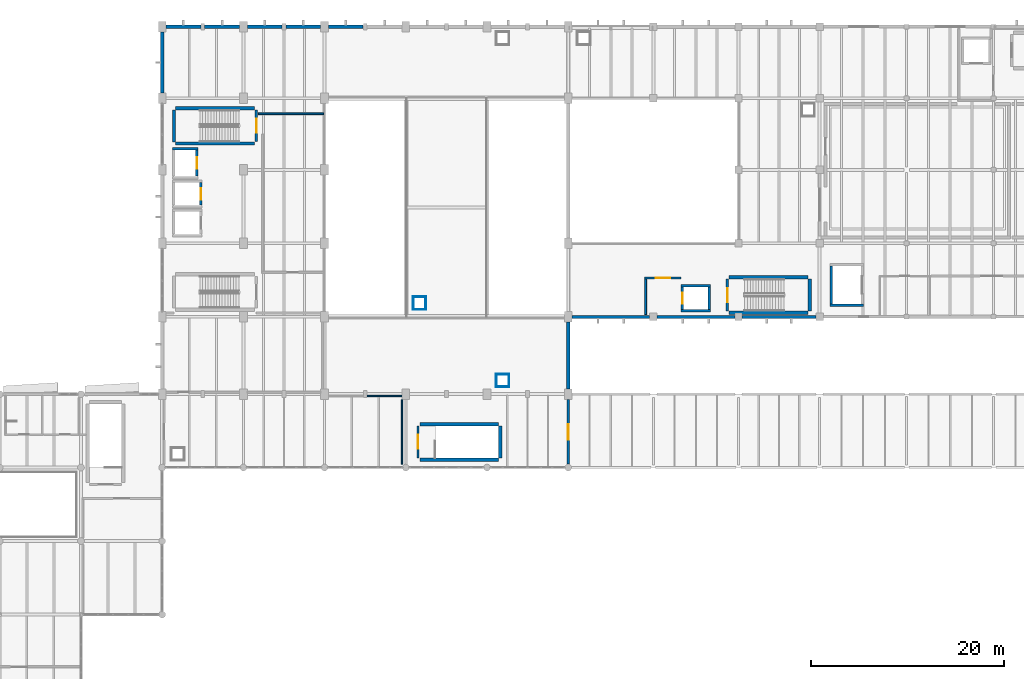
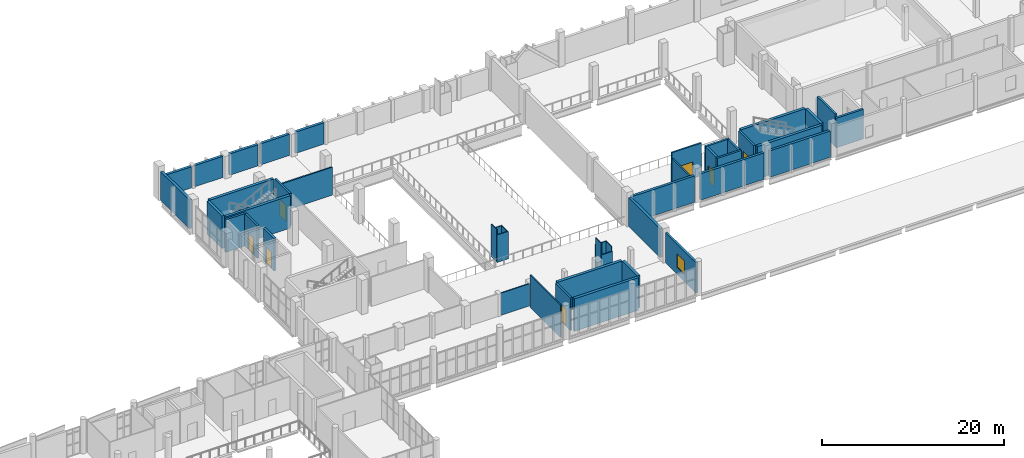
# One storey, part 61 of 74: 45 walls, 7 doors, 1 window, 8 openings.
"""IFC4 building model written with IfcOpenShell, lengths in metres."""

from ifc_helpers import new_model, si_unit, direction, frame, frame_2d, origin, place, context, subcontext, project, spatial, rectangle, extrude, material, layer, layer_set, type_object, element, fill, save


model = new_model("IFC4")

# Units and contexts
model_context = context("Model", 3, precision=1e-05, world=origin(), true_north=direction((0.0, 1.0)))
body_context = subcontext(model_context, "Body", "Model", "MODEL_VIEW")
ifc_project = project(units=[si_unit("LENGTHUNIT", "METRE"), si_unit("AREAUNIT", "SQUARE_METRE"), si_unit("VOLUMEUNIT", "CUBIC_METRE"), si_unit("PLANEANGLEUNIT", "RADIAN"), si_unit("MASSUNIT", "GRAM", prefix="KILO")], contexts=[model_context])

# Site, building, storey
site_placement = place(None, origin())
site = spatial("IfcSite", under=ifc_project, at=site_placement, CompositionType="ELEMENT")
building_placement = place(site_placement, origin())
building = spatial("IfcBuilding", under=site, at=building_placement, Name="Shengluoqiao Park Theatre", CompositionType="ELEMENT")
storey_placement = place(building_placement, frame((0.0, 0.0, 14.60009765625)))
storey = spatial("IfcBuildingStorey", under=building, at=storey_placement, Name="L03", CompositionType="ELEMENT", Elevation=14.60009765625)

# Walls
ifc_material_1 = material(Name="Concrete C40", Category="concrete")
ifc_layer_1 = layer(ifc_material_1, 0.31005859375, Name="Concrete C40")
ifc_layer_set_1 = layer_set([ifc_layer_1], Name="Concrete C40")
wall_type_1 = type_object("IfcWallType", Name="ENV-WL-CONC310", PredefinedType="STANDARD", material=ifc_layer_set_1)
wall_1_placement = place(storey_placement, frame((86.803955078125, 84.0, 0.0), z_axis=(0.0, 0.0, 1.0), x_axis=(1.0, 0.0, 0.0)))
element("IfcWall", 1, at=wall_1_placement, inside=storey, type_object=wall_type_1, Name="L03 Exterior Wall 0074", PredefinedType="STANDARD", context=body_context, shape_type="SweptSolid", body=[
    extrude(rectangle(XDim=8.01708984375, YDim=0.31005859375, at=frame_2d((4.008544921875, 0.0))), origin(), (0.0, 0.0, 1.0), 3.537841796875),
])
wall_2_placement = place(storey_placement, frame((95.5791015625, 84.0, 0.0), z_axis=(0.0, 0.0, 1.0), x_axis=(1.0, 0.0, 0.0)))
element("IfcWall", 2, at=wall_2_placement, inside=storey, type_object=wall_type_1, Name="L03 Exterior Wall 0075", PredefinedType="STANDARD", context=body_context, shape_type="SweptSolid", body=[
    extrude(rectangle(XDim=8.0419921875, YDim=0.31005859375, at=frame_2d((4.02099609375, 0.0))), origin(), (0.0, 0.0, 1.0), 3.537841796875),
])
wall_3_placement = place(storey_placement, frame((104.37890625, 84.0, 0.0), z_axis=(0.0, 0.0, 1.0), x_axis=(1.0, 0.0, 0.0)))
element("IfcWall", 3, at=wall_3_placement, inside=storey, type_object=wall_type_1, Name="L03 Exterior Wall 0076", PredefinedType="STANDARD", context=body_context, shape_type="SweptSolid", body=[
    extrude(rectangle(XDim=7.64208984375, YDim=0.31005859375, at=frame_2d((3.821044921875, 0.0))), origin(), (0.0, 0.0, 1.0), 3.537841796875),
])
ifc_material_2 = material(Name="Concrete C45", Category="concrete")
ifc_layer_2 = layer(ifc_material_2, 0.330078125, Name="Concrete C45")
ifc_layer_set_2 = layer_set([ifc_layer_2], Name="Concrete C45")
wall_type_2 = type_object("IfcWallType", Name="ENV-WL-CONC330", PredefinedType="STANDARD", material=ifc_layer_set_2)
for number, where, z_axis, x_axis, name in (
    (4, (44.803955078125, 114.0, 0.0), (0.0, 0.0, 1.0), (1.0, 0.0, 0.0), "L03 Exterior Wall 0040"),
    (5, (48.803955078125, 114.0, 0.0), (0.0, 0.0, 1.0), (1.0, 0.0, 0.0), "L03 Exterior Wall 0041"),
):
    element("IfcWall", number, at=place(storey_placement, frame(where, z_axis=z_axis, x_axis=x_axis)), inside=storey, type_object=wall_type_2, Name=name, PredefinedType="STANDARD", context=body_context, shape_type="SweptSolid", body=[
        extrude(rectangle(XDim=3.592041015625, YDim=0.330078125, at=frame_2d((1.7958984375, 0.0))), origin(), (0.0, 0.0, 1.0), 2.847900390625),
    ])
for number, where, z_axis, x_axis, name in (
    (6, (53.2041015625, 114.0, 0.0), (0.0, 0.0, 1.0), (1.0, 0.0, 0.0), "L03 Exterior Wall 0042"),
    (7, (57.2041015625, 114.0, 0.0), (0.0, 0.0, 1.0), (1.0, 0.0, 0.0), "L03 Exterior Wall 0043"),
):
    element("IfcWall", number, at=place(storey_placement, frame(where, z_axis=z_axis, x_axis=x_axis)), inside=storey, type_object=wall_type_2, Name=name, PredefinedType="STANDARD", context=body_context, shape_type="SweptSolid", body=[
        extrude(rectangle(XDim=3.591796875, YDim=0.330078125, at=frame_2d((1.7958984375, 0.0))), origin(), (0.0, 0.0, 1.0), 2.847900390625),
    ])
wall_4_placement = place(storey_placement, frame((61.60400390625, 114.0, 0.0), z_axis=(0.0, 0.0, 1.0), x_axis=(1.0, 0.0, 0.0)))
element("IfcWall", 8, at=wall_4_placement, inside=storey, type_object=wall_type_2, Name="L03 Exterior Wall 0044", PredefinedType="STANDARD", context=body_context, shape_type="SweptSolid", body=[
    extrude(rectangle(XDim=3.592041015625, YDim=0.330078125, at=frame_2d((1.7958984375, 0.0))), origin(), (0.0, 0.0, 1.0), 2.847900390625),
])
wall_5_placement = place(storey_placement, frame((44.39990234375, 107.154052734375, 0.0), z_axis=(0.0, 0.0, 1.0), x_axis=(0.0, 1.0, 0.0)))
element("IfcWall", 9, at=wall_5_placement, inside=storey, type_object=wall_type_2, Name="L03 Exterior Wall 0052", PredefinedType="STANDARD", context=body_context, shape_type="SweptSolid", body=[
    extrude(rectangle(XDim=6.2919921875, YDim=0.330078125, at=frame_2d((3.14599609375, 0.0))), origin(), (0.0, 0.0, 1.0), 3.8779296875),
])
wall_6_placement = place(storey_placement, frame((86.39990234375, 76.553955078125, 0.0), z_axis=(0.0, 0.0, 1.0), x_axis=(0.0, 1.0, 0.0)))
element("IfcWall", 10, at=wall_6_placement, inside=storey, type_object=wall_type_2, Name="L03 Exterior Wall 0298", PredefinedType="STANDARD", context=body_context, shape_type="SweptSolid", body=[
    extrude(rectangle(XDim=6.89208984375, YDim=0.330078125, at=frame_2d((3.446044921875, 0.0))), origin(), (0.0, 0.0, 1.0), 3.8779296875),
])

# Wall, opening, window
ifc_material_3 = material(Name="Precast concrete C45", Category="concrete")
ifc_layer_3 = layer(ifc_material_3, 0.25, Name="Precast concrete C45")
ifc_layer_set_3 = layer_set([ifc_layer_3], Name="Precast concrete C45")
wall_type_3 = type_object("IfcWallType", Name="ENV-WL-CRYS250", PredefinedType="STANDARD", material=ifc_layer_set_3)
wall_7_placement = place(storey_placement, frame((86.39990234375, 68.75390625, 0.0), z_axis=(0.0, 0.0, 1.0), x_axis=(0.0, 1.0, 0.0)))
wall_7 = element("IfcWall", 11, at=wall_7_placement, inside=storey, type_object=wall_type_3, Name="L03 Exterior Wall 0294", PredefinedType="STANDARD", context=body_context, shape_type="SweptSolid", body=[
    extrude(rectangle(XDim=6.692138671875, YDim=0.25, at=frame_2d((3.34619140625, 0.0))), origin(), (0.0, 0.0, 1.0), 4.033935546875),
])
opening_1_placement = place(wall_7_placement, frame((2.5458984375, 0.0, 0.949951171875)))
opening_1 = element("IfcOpeningElement", 12, at=opening_1_placement, cuts=wall_7, Name="Opening W-06", PredefinedType="OPENING", context=body_context, shape_type="SweptSolid", body=[
    extrude(rectangle(XDim=1.60009765625, YDim=1.800048828125, at=frame_2d((0.800048828125, 0.89990234375))), frame((0.0, 0.135009765625, 0.0), z_axis=(0.0, -1.0, 0.0), x_axis=(1.0, 0.0, 0.0)), (0.0, 0.0, 1.0), 0.27001953125),
])
ifc_material_4 = material(Name="Insulated glass", Category="glass")
window_type = type_object("IfcWindowType", Name="ENV-WIN-W06", PartitioningType="DOUBLE_PANEL_VERTICAL", PredefinedType="WINDOW", material=ifc_material_4)
window_placement = place(opening_1_placement, origin())
window = element("IfcWindow", 13, at=window_placement, inside=storey, type_object=window_type, Name="L03 Acoustic Window 0126", OverallHeight=1.800048828125, OverallWidth=1.60009765625, PartitioningType="DOUBLE_PANEL_VERTICAL", PredefinedType="WINDOW", context=body_context, shape_type="SweptSolid", body=[
    extrude(rectangle(XDim=1.60009765625, YDim=1.800048828125, at=frame_2d((0.800048828125, 0.89990234375))), frame((0.0, 0.030029296875, 0.0), z_axis=(0.0, -1.0, 0.0), x_axis=(1.0, 0.0, 0.0)), (0.0, 0.0, 1.0), 0.06005859375),
])
fill(opening_1, window)

# Walls
ifc_material_5 = material(Name="Gypsum acoustic stud", Category="gypsum")
ifc_layer_4 = layer(ifc_material_5, 0.175048828125, Name="Gypsum acoustic stud")
ifc_layer_set_4 = layer_set([ifc_layer_4], Name="Gypsum acoustic stud")
wall_type_4 = type_object("IfcWallType", Name="INT-WL-COR175", PredefinedType="PARTITIONING", material=ifc_layer_set_4)
wall_8_placement = place(storey_placement, frame((54.340087890625, 105.0, 0.0), z_axis=(0.0, 0.0, 1.0), x_axis=(1.0, 0.0, 0.0)))
element("IfcWall", 14, at=wall_8_placement, inside=storey, type_object=wall_type_4, Name="Auditorium Lighting and Projection Suite Partition N", PredefinedType="PARTITIONING", context=body_context, shape_type="SweptSolid", body=[
    extrude(rectangle(XDim=6.747314453125, YDim=0.175048828125, at=frame_2d((3.37353515625, 0.0))), origin(), (0.0, 0.0, 1.0), 3.75),
])
ifc_material_6 = material(Name="Concrete blockwork B06", Category="masonry")
ifc_layer_5 = layer(ifc_material_6, 0.195068359375, Name="Concrete blockwork B06")
ifc_layer_set_5 = layer_set([ifc_layer_5], Name="Concrete blockwork B06")
wall_type_5 = type_object("IfcWallType", Name="INT-WL-FFL195", PredefinedType="PARTITIONING", material=ifc_layer_set_5)
wall_9_placement = place(storey_placement, frame((94.39990234375, 84.219970703125, 0.0), z_axis=(0.0, 0.0, 1.0), x_axis=(0.0, 1.0, 0.0)))
element("IfcWall", 15, at=wall_9_placement, inside=storey, type_object=wall_type_5, Name="L03 Firefighting Lift Lobby FF1 Fire Wall W", PredefinedType="PARTITIONING", context=body_context, shape_type="SweptSolid", body=[
    extrude(rectangle(XDim=3.675048828125, YDim=0.195068359375, at=frame_2d((1.83740234375, 0.0))), origin(), (0.0, 0.0, 1.0), 3.537841796875),
])

# Wall, opening, door
wall_10_placement = place(storey_placement, frame((94.31005859375, 88.0, 0.0), z_axis=(0.0, 0.0, 1.0), x_axis=(1.0, 0.0, 0.0)))
wall_10 = element("IfcWall", 16, at=wall_10_placement, inside=storey, type_object=wall_type_5, Name="L03 Firefighting Lift Lobby FF1 Fire Wall N", PredefinedType="PARTITIONING", context=body_context, shape_type="SweptSolid", body=[
    extrude(rectangle(XDim=3.75, YDim=0.195068359375, at=frame_2d((1.875, 0.0))), origin(), (0.0, 0.0, 1.0), 4.35986328125),
])
opening_2_placement = place(wall_10_placement, frame((1.125, 0.0, 0.0)))
opening_2 = element("IfcOpeningElement", 17, at=opening_2_placement, cuts=wall_10, Name="Opening FD-FFL-1-L03", PredefinedType="OPENING", context=body_context, shape_type="SweptSolid", body=[
    extrude(rectangle(XDim=1.5, YDim=2.199951171875, at=frame_2d((0.75, 1.10009765625))), frame((0.0, 0.107421875, 0.0), z_axis=(0.0, -1.0, 0.0), x_axis=(1.0, 0.0, 0.0)), (0.0, 0.0, 1.0), 0.215087890625),
])
ifc_material_7 = material(Name="Steel Q355", Category="steel")
door_type_1 = type_object("IfcDoorType", Name="INT-DR-FFL150", OperationType="DOUBLE_DOOR_SINGLE_SWING", PredefinedType="DOOR", material=ifc_material_7)
door_1_placement = place(opening_2_placement, origin())
door_1 = element("IfcDoor", 18, at=door_1_placement, inside=storey, type_object=door_type_1, Name="L03 Firefighting Lift Lobby FF1 Fire Door FD-FFL-1-L03", OperationType="DOUBLE_DOOR_SINGLE_SWING", OverallHeight=2.199951171875, OverallWidth=1.5, PredefinedType="DOOR", context=body_context, shape_type="SweptSolid", body=[
    extrude(rectangle(XDim=1.5, YDim=2.199951171875, at=frame_2d((0.75, 1.10009765625))), frame((0.0, 0.02490234375, 0.0), z_axis=(0.0, -1.0, 0.0), x_axis=(1.0, 0.0, 0.0)), (0.0, 0.0, 1.0), 0.050048828125),
])
fill(opening_2, door_1)

# Walls
ifc_material_8 = material(Name="Gypsum shaftwall", Category="gypsum")
ifc_layer_6 = layer(ifc_material_8, 0.094970703125, Name="Gypsum shaftwall")
ifc_layer_set_6 = layer_set([ifc_layer_6], Name="Gypsum shaftwall")
wall_type_6 = type_object("IfcWallType", Name="INT-WL-RSR095", PredefinedType="PARTITIONING", material=ifc_layer_set_6)
for number, where, z_axis, x_axis, name in (
    (19, (70.304931640625, 84.75, 0.0), (0.0, 0.0, 1.0), (1.0, 0.0, 0.0), "L03 Service Riser Shaftwall 137"),
    (20, (70.304931640625, 86.070068359375, 0.0), (0.0, 0.0, 1.0), (1.0, 0.0, 0.0), "L03 Service Riser Shaftwall 138"),
):
    element("IfcWall", number, at=place(storey_placement, frame(where, z_axis=z_axis, x_axis=x_axis)), inside=storey, type_object=wall_type_6, Name=name, PredefinedType="PARTITIONING", context=body_context, shape_type="SweptSolid", body=[
        extrude(rectangle(XDim=1.41015625, YDim=0.094970703125, at=frame_2d((0.705078125, 0.0))), origin(), (0.0, 0.0, 1.0), 3.677978515625),
    ])
wall_11_placement = place(storey_placement, frame((70.35009765625, 84.804931640625, 0.0), z_axis=(0.0, 0.0, 1.0), x_axis=(0.0, 1.0, 0.0)))
element("IfcWall", 21, at=wall_11_placement, inside=storey, type_object=wall_type_6, Name="L03 Service Riser Shaftwall 139", PredefinedType="PARTITIONING", context=body_context, shape_type="SweptSolid", body=[
    extrude(rectangle(XDim=1.2099609375, YDim=0.094970703125, at=frame_2d((0.60498046875, 0.0))), origin(), (0.0, 0.0, 1.0), 4.35986328125),
])
wall_12_placement = place(storey_placement, frame((71.669921875, 84.804931640625, 0.0), z_axis=(0.0, 0.0, 1.0), x_axis=(0.0, 1.0, 0.0)))
element("IfcWall", 22, at=wall_12_placement, inside=storey, type_object=wall_type_6, Name="L03 Service Riser Shaftwall 140", PredefinedType="PARTITIONING", context=body_context, shape_type="SweptSolid", body=[
    extrude(rectangle(XDim=1.2099609375, YDim=0.094970703125, at=frame_2d((0.60498046875, 0.0))), origin(), (0.0, 0.0, 1.0), 3.677978515625),
])
wall_13_placement = place(storey_placement, frame((78.905029296875, 76.75, 0.0), z_axis=(0.0, 0.0, 1.0), x_axis=(1.0, 0.0, 0.0)))
element("IfcWall", 23, at=wall_13_placement, inside=storey, type_object=wall_type_6, Name="L03 Service Riser Shaftwall 141", PredefinedType="PARTITIONING", context=body_context, shape_type="SweptSolid", body=[
    extrude(rectangle(XDim=1.409912109375, YDim=0.094970703125, at=frame_2d((0.705078125, 0.0))), origin(), (0.0, 0.0, 1.0), 2.847900390625),
])
wall_14_placement = place(storey_placement, frame((78.905029296875, 78.070068359375, 0.0), z_axis=(0.0, 0.0, 1.0), x_axis=(1.0, 0.0, 0.0)))
element("IfcWall", 24, at=wall_14_placement, inside=storey, type_object=wall_type_6, Name="L03 Service Riser Shaftwall 142", PredefinedType="PARTITIONING", context=body_context, shape_type="SweptSolid", body=[
    extrude(rectangle(XDim=1.409912109375, YDim=0.094970703125, at=frame_2d((0.705078125, 0.0))), origin(), (0.0, 0.0, 1.0), 3.432861328125),
])
wall_15_placement = place(storey_placement, frame((78.949951171875, 76.804931640625, 0.0), z_axis=(0.0, 0.0, 1.0), x_axis=(0.0, 1.0, 0.0)))
element("IfcWall", 25, at=wall_15_placement, inside=storey, type_object=wall_type_6, Name="L03 Service Riser Shaftwall 143", PredefinedType="PARTITIONING", context=body_context, shape_type="SweptSolid", body=[
    extrude(rectangle(XDim=1.2099609375, YDim=0.094970703125, at=frame_2d((0.60498046875, 0.0))), origin(), (0.0, 0.0, 1.0), 4.35986328125),
])
wall_16_placement = place(storey_placement, frame((80.27001953125, 76.804931640625, 0.0), z_axis=(0.0, 0.0, 1.0), x_axis=(0.0, 1.0, 0.0)))
element("IfcWall", 26, at=wall_16_placement, inside=storey, type_object=wall_type_6, Name="L03 Service Riser Shaftwall 144", PredefinedType="PARTITIONING", context=body_context, shape_type="SweptSolid", body=[
    extrude(rectangle(XDim=1.2099609375, YDim=0.094970703125, at=frame_2d((0.60498046875, 0.0))), origin(), (0.0, 0.0, 1.0), 3.432861328125),
])

# Wall, opening, door
ifc_layer_7 = layer(ifc_material_1, 0.260009765625, Name="Concrete C40")
ifc_layer_set_7 = layer_set([ifc_layer_7], Name="Concrete C40")
wall_type_7 = type_object("IfcWallType", Name="INT-WL-SHF260", PredefinedType="STANDARD", material=ifc_layer_set_7)
wall_17_placement = place(storey_placement, frame((48.39990234375, 95.535888671875, 0.0), z_axis=(0.0, 0.0, 1.0), x_axis=(0.0, 1.0, 0.0)))
wall_17 = element("IfcWall", 27, at=wall_17_placement, inside=storey, type_object=wall_type_7, Name="L03 PL4 Lift Shaft Wall East", PredefinedType="STANDARD", context=body_context, shape_type="SweptSolid", body=[
    extrude(rectangle(XDim=2.328125, YDim=0.260009765625, at=frame_2d((1.1640625, 0.0))), origin(), (0.0, 0.0, 1.0), 4.35986328125),
])
opening_3_placement = place(wall_17_placement, frame((0.553955078125, 0.0, 0.0)))
opening_3 = element("IfcOpeningElement", 28, at=opening_3_placement, cuts=wall_17, Name="Opening LD-PL4-L03", PredefinedType="OPENING", context=body_context, shape_type="SweptSolid", body=[
    extrude(rectangle(XDim=1.219970703125, YDim=2.199951171875, at=frame_2d((0.60986328125, 1.10009765625))), frame((0.0, 0.139892578125, 0.0), z_axis=(0.0, -1.0, 0.0), x_axis=(1.0, 0.0, 0.0)), (0.0, 0.0, 1.0), 0.280029296875),
])
ifc_material_9 = material(Name="Stainless steel 304", Category="steel")
door_type_2 = type_object("IfcDoorType", Name="INT-DR-LD122", OperationType="SLIDING_TO_RIGHT", PredefinedType="DOOR", material=ifc_material_9)
door_2_placement = place(opening_3_placement, origin())
door_2 = element("IfcDoor", 29, at=door_2_placement, inside=storey, type_object=door_type_2, Name="PL4 Lift Landing Door LD-PL4-L03", OperationType="SLIDING_TO_RIGHT", OverallHeight=2.199951171875, OverallWidth=1.219970703125, PredefinedType="DOOR", context=body_context, shape_type="SweptSolid", body=[
    extrude(rectangle(XDim=1.219970703125, YDim=2.199951171875, at=frame_2d((0.60986328125, 1.10009765625))), frame((0.0, 0.02490234375, 0.0), z_axis=(0.0, -1.0, 0.0), x_axis=(1.0, 0.0, 0.0)), (0.0, 0.0, 1.0), 0.050048828125),
])
fill(opening_3, door_2)

# Wall
wall_18_placement = place(storey_placement, frame((45.469970703125, 101.39990234375, 0.0), z_axis=(0.0, 0.0, 1.0), x_axis=(1.0, 0.0, 0.0)))
element("IfcWall", 30, at=wall_18_placement, inside=storey, type_object=wall_type_7, Name="L03 AL1 Lift Shaft Wall North", PredefinedType="STANDARD", context=body_context, shape_type="SweptSolid", body=[
    extrude(rectangle(XDim=2.659912109375, YDim=0.260009765625, at=frame_2d((1.330078125, 0.0))), origin(), (0.0, 0.0, 1.0), 4.35986328125),
])

# Wall, opening, door
wall_19_placement = place(storey_placement, frame((48.0, 98.535888671875, 0.0), z_axis=(0.0, 0.0, 1.0), x_axis=(0.0, 1.0, 0.0)))
wall_19 = element("IfcWall", 31, at=wall_19_placement, inside=storey, type_object=wall_type_7, Name="L03 AL1 Lift Shaft Wall East", PredefinedType="STANDARD", context=body_context, shape_type="SweptSolid", body=[
    extrude(rectangle(XDim=2.72802734375, YDim=0.260009765625, at=frame_2d((1.364013671875, 0.0))), origin(), (0.0, 0.0, 1.0), 4.35986328125),
])
opening_4_placement = place(wall_19_placement, frame((0.75390625, 0.0, 0.0)))
opening_4 = element("IfcOpeningElement", 32, at=opening_4_placement, cuts=wall_19, Name="Opening LD-AL1-L03", PredefinedType="OPENING", context=body_context, shape_type="SweptSolid", body=[
    extrude(rectangle(XDim=1.219970703125, YDim=2.199951171875, at=frame_2d((0.60986328125, 1.10009765625))), frame((0.0, 0.139892578125, 0.0), z_axis=(0.0, -1.0, 0.0), x_axis=(1.0, 0.0, 0.0)), (0.0, 0.0, 1.0), 0.280029296875),
])
door_3_placement = place(opening_4_placement, origin())
door_3 = element("IfcDoor", 33, at=door_3_placement, inside=storey, type_object=door_type_2, Name="AL1 Lift Landing Door LD-AL1-L03", OperationType="SLIDING_TO_LEFT", OverallHeight=2.199951171875, OverallWidth=1.219970703125, PredefinedType="DOOR", context=body_context, shape_type="SweptSolid", body=[
    extrude(rectangle(XDim=1.219970703125, YDim=2.199951171875, at=frame_2d((0.60986328125, 1.10009765625))), frame((0.0, 0.02490234375, 0.0), z_axis=(0.0, -1.0, 0.0), x_axis=(1.0, 0.0, 0.0)), (0.0, 0.0, 1.0), 0.050048828125),
])
fill(opening_4, door_3)

# Walls
for number, where, z_axis, x_axis, name in (
    (34, (98.070068359375, 84.60009765625, 0.0), (0.0, 0.0, 1.0), (1.0, 0.0, 0.0), "L03 FF1 Lift Shaft Wall South"),
    (35, (98.070068359375, 87.199951171875, 0.0), (0.0, 0.0, 1.0), (1.0, 0.0, 0.0), "L03 FF1 Lift Shaft Wall North"),
):
    element("IfcWall", number, at=place(storey_placement, frame(where, z_axis=z_axis, x_axis=x_axis)), inside=storey, type_object=wall_type_7, Name=name, PredefinedType="STANDARD", context=body_context, shape_type="SweptSolid", body=[
        extrude(rectangle(XDim=3.059814453125, YDim=0.260009765625, at=frame_2d((1.52978515625, 0.0))), origin(), (0.0, 0.0, 1.0), 4.35986328125),
    ])

# Wall, opening, door
wall_20_placement = place(storey_placement, frame((98.199951171875, 84.736083984375, 0.0), z_axis=(0.0, 0.0, 1.0), x_axis=(0.0, 1.0, 0.0)))
wall_20 = element("IfcWall", 36, at=wall_20_placement, inside=storey, type_object=wall_type_7, Name="L03 FF1 Lift Shaft Wall West", PredefinedType="STANDARD", context=body_context, shape_type="SweptSolid", body=[
    extrude(rectangle(XDim=2.327880859375, YDim=0.260009765625, at=frame_2d((1.1640625, 0.0))), origin(), (0.0, 0.0, 1.0), 4.35986328125),
])
opening_5_placement = place(wall_20_placement, frame((0.589111328125, 0.0, 0.0)))
opening_5 = element("IfcOpeningElement", 37, at=opening_5_placement, cuts=wall_20, Name="Opening LD-FF1-L03", PredefinedType="OPENING", context=body_context, shape_type="SweptSolid", body=[
    extrude(rectangle(XDim=1.14990234375, YDim=2.14990234375, at=frame_2d((0.574951171875, 1.074951171875))), frame((0.0, 0.139892578125, 0.0), z_axis=(0.0, -1.0, 0.0), x_axis=(1.0, 0.0, 0.0)), (0.0, 0.0, 1.0), 0.280029296875),
])
door_type_3 = type_object("IfcDoorType", Name="INT-DR-LD115", OperationType="SLIDING_TO_LEFT", PredefinedType="DOOR", material=ifc_material_9)
door_4_placement = place(opening_5_placement, origin())
door_4 = element("IfcDoor", 38, at=door_4_placement, inside=storey, type_object=door_type_3, Name="FF1 Lift Landing Door LD-FF1-L03", OperationType="SLIDING_TO_LEFT", OverallHeight=2.14990234375, OverallWidth=1.14990234375, PredefinedType="DOOR", context=body_context, shape_type="SweptSolid", body=[
    extrude(rectangle(XDim=1.14990234375, YDim=2.14990234375, at=frame_2d((0.574951171875, 1.074951171875))), frame((0.0, 0.02490234375, 0.0), z_axis=(0.0, -1.0, 0.0), x_axis=(1.0, 0.0, 0.0)), (0.0, 0.0, 1.0), 0.050048828125),
])
fill(opening_5, door_4)

# Walls
wall_21_placement = place(storey_placement, frame((101.0, 84.736083984375, 0.0), z_axis=(0.0, 0.0, 1.0), x_axis=(0.0, 1.0, 0.0)))
element("IfcWall", 39, at=wall_21_placement, inside=storey, type_object=wall_type_7, Name="L03 FF1 Lift Shaft Wall East", PredefinedType="STANDARD", context=body_context, shape_type="SweptSolid", body=[
    extrude(rectangle(XDim=2.327880859375, YDim=0.260009765625, at=frame_2d((1.1640625, 0.0))), origin(), (0.0, 0.0, 1.0), 4.35986328125),
])
wall_22_placement = place(storey_placement, frame((113.469970703125, 85.199951171875, 0.0), z_axis=(0.0, 0.0, 1.0), x_axis=(1.0, 0.0, 0.0)))
element("IfcWall", 40, at=wall_22_placement, inside=storey, type_object=wall_type_7, Name="L03 FL1 Lift Shaft Wall South", PredefinedType="STANDARD", context=body_context, shape_type="SweptSolid", body=[
    extrude(rectangle(XDim=3.4599609375, YDim=0.260009765625, at=frame_2d((1.72998046875, 0.0))), origin(), (0.0, 0.0, 1.0), 3.98779296875),
])
wall_23_placement = place(storey_placement, frame((113.60009765625, 85.3359375, 0.0), z_axis=(0.0, 0.0, 1.0), x_axis=(0.0, 1.0, 0.0)))
element("IfcWall", 41, at=wall_23_placement, inside=storey, type_object=wall_type_7, Name="L03 FL1 Lift Shaft Wall West", PredefinedType="STANDARD", context=body_context, shape_type="SweptSolid", body=[
    extrude(rectangle(XDim=3.927978515625, YDim=0.260009765625, at=frame_2d((1.9638671875, 0.0))), origin(), (0.0, 0.0, 1.0), 4.35986328125),
])
ifc_material_10 = material(Name="Gypsum board", Category="gypsum")
ifc_layer_8 = layer(ifc_material_10, 0.135009765625, Name="Gypsum board")
ifc_layer_set_8 = layer_set([ifc_layer_8], Name="Gypsum board")
wall_type_8 = type_object("IfcWallType", Name="INT-WL-STD135", PredefinedType="PARTITIONING", material=ifc_layer_set_8)
wall_24_placement = place(storey_placement, frame((65.60595703125, 75.800048828125, 0.0), z_axis=(0.0, 0.0, 1.0), x_axis=(1.0, 0.0, 0.0)))
element("IfcWall", 42, at=wall_24_placement, inside=storey, type_object=wall_type_8, Name="Patrons Sky Lounge and Dining Suite Partition N", PredefinedType="PARTITIONING", context=body_context, shape_type="SweptSolid", body=[
    extrude(rectangle(XDim=3.5859375, YDim=0.135009765625, at=frame_2d((1.79296875, 0.0))), origin(), (0.0, 0.0, 1.0), 2.977783203125),
])
wall_25_placement = place(storey_placement, frame((69.199951171875, 68.758056640625, 0.0), z_axis=(0.0, 0.0, 1.0), x_axis=(0.0, 1.0, 0.0)))
element("IfcWall", 43, at=wall_25_placement, inside=storey, type_object=wall_type_8, Name="Patrons Sky Lounge and Dining Suite Partition E", PredefinedType="PARTITIONING", context=body_context, shape_type="SweptSolid", body=[
    extrude(rectangle(XDim=6.68603515625, YDim=0.135009765625, at=frame_2d((3.343017578125, 0.0))), origin(), (0.0, 0.0, 1.0), 4.35986328125),
])

# Wall, opening, door
ifc_layer_9 = layer(ifc_material_1, 0.239990234375, Name="Concrete C40")
ifc_layer_set_9 = layer_set([ifc_layer_9], Name="Concrete C40")
wall_type_9 = type_object("IfcWallType", Name="INT-WL-STW240", PredefinedType="STANDARD", material=ifc_layer_set_9)
wall_26_placement = place(storey_placement, frame((54.139892578125, 105.389892578125, 0.0), z_axis=(0.0, 0.0, 1.0), x_axis=(0.0, -1.0, 0.0)))
wall_26 = element("IfcWall", 44, at=wall_26_placement, inside=storey, type_object=wall_type_9, Name="L03 ST-03 Stairwell Fire Wall", PredefinedType="STANDARD", context=body_context, shape_type="SweptSolid", body=[
    extrude(rectangle(XDim=3.27978515625, YDim=0.239990234375, at=frame_2d((1.639892578125, 0.0))), origin(), (0.0, 0.0, 1.0), 4.35986328125),
])
opening_6_placement = place(wall_26_placement, frame((0.9150390625, 0.0, 0.0)))
opening_6 = element("IfcOpeningElement", 45, at=opening_6_placement, cuts=wall_26, Name="Opening SD-03-L03", PredefinedType="OPENING", context=body_context, shape_type="SweptSolid", body=[
    extrude(rectangle(XDim=1.449951171875, YDim=2.199951171875, at=frame_2d((0.72509765625, 1.10009765625))), frame((0.0, 0.1298828125, 0.0), z_axis=(0.0, -1.0, 0.0), x_axis=(1.0, 0.0, 0.0)), (0.0, 0.0, 1.0), 0.260009765625),
])
door_type_4 = type_object("IfcDoorType", Name="INT-DR-STW145", OperationType="DOUBLE_DOOR_SINGLE_SWING", PredefinedType="DOOR", material=ifc_material_7)
door_5_placement = place(opening_6_placement, origin())
door_5 = element("IfcDoor", 46, at=door_5_placement, inside=storey, type_object=door_type_4, Name="L03 ST-03 Escape Stair Door SD-03-L03", OperationType="DOUBLE_DOOR_SINGLE_SWING", OverallHeight=2.199951171875, OverallWidth=1.449951171875, PredefinedType="DOOR", context=body_context, shape_type="SweptSolid", body=[
    extrude(rectangle(XDim=1.449951171875, YDim=2.199951171875, at=frame_2d((0.72509765625, 1.10009765625))), frame((0.0, 0.02490234375, 0.0), z_axis=(0.0, -1.0, 0.0), x_axis=(1.0, 0.0, 0.0)), (0.0, 0.0, 1.0), 0.050048828125),
])
fill(opening_6, door_5)

wall_27_placement = place(storey_placement, frame((102.860107421875, 84.610107421875, 0.0), z_axis=(0.0, 0.0, 1.0), x_axis=(0.0, 1.0, 0.0)))
wall_27 = element("IfcWall", 47, at=wall_27_placement, inside=storey, type_object=wall_type_9, Name="L03 ST-05 Stairwell Fire Wall", PredefinedType="STANDARD", context=body_context, shape_type="SweptSolid", body=[
    extrude(rectangle(XDim=3.27978515625, YDim=0.239990234375, at=frame_2d((1.639892578125, 0.0))), origin(), (0.0, 0.0, 1.0), 4.35986328125),
])
opening_7_placement = place(wall_27_placement, frame((0.9150390625, 0.0, 0.0)))
opening_7 = element("IfcOpeningElement", 48, at=opening_7_placement, cuts=wall_27, Name="Opening SD-05-L03", PredefinedType="OPENING", context=body_context, shape_type="SweptSolid", body=[
    extrude(rectangle(XDim=1.449951171875, YDim=2.199951171875, at=frame_2d((0.72509765625, 1.10009765625))), frame((0.0, 0.1298828125, 0.0), z_axis=(0.0, -1.0, 0.0), x_axis=(1.0, 0.0, 0.0)), (0.0, 0.0, 1.0), 0.260009765625),
])
door_6_placement = place(opening_7_placement, origin())
door_6 = element("IfcDoor", 49, at=door_6_placement, inside=storey, type_object=door_type_4, Name="L03 ST-05 Escape Stair Door SD-05-L03", OperationType="DOUBLE_DOOR_SINGLE_SWING", OverallHeight=2.199951171875, OverallWidth=1.449951171875, PredefinedType="DOOR", context=body_context, shape_type="SweptSolid", body=[
    extrude(rectangle(XDim=1.449951171875, YDim=2.199951171875, at=frame_2d((0.72509765625, 1.10009765625))), frame((0.0, 0.02490234375, 0.0), z_axis=(0.0, -1.0, 0.0), x_axis=(1.0, 0.0, 0.0)), (0.0, 0.0, 1.0), 0.050048828125),
])
fill(opening_7, door_6)

wall_28_placement = place(storey_placement, frame((70.860107421875, 69.409912109375, 0.0), z_axis=(0.0, 0.0, 1.0), x_axis=(0.0, 1.0, 0.0)))
wall_28 = element("IfcWall", 50, at=wall_28_placement, inside=storey, type_object=wall_type_9, Name="L03 ST-11 Stairwell Fire Wall", PredefinedType="STANDARD", context=body_context, shape_type="SweptSolid", body=[
    extrude(rectangle(XDim=3.280029296875, YDim=0.239990234375, at=frame_2d((1.64013671875, 0.0))), origin(), (0.0, 0.0, 1.0), 4.35986328125),
])
opening_8_placement = place(wall_28_placement, frame((0.9150390625, 0.0, 0.0)))
opening_8 = element("IfcOpeningElement", 51, at=opening_8_placement, cuts=wall_28, Name="Opening SD-11-L03", PredefinedType="OPENING", context=body_context, shape_type="SweptSolid", body=[
    extrude(rectangle(XDim=1.449951171875, YDim=2.199951171875, at=frame_2d((0.72509765625, 1.10009765625))), frame((0.0, 0.1298828125, 0.0), z_axis=(0.0, -1.0, 0.0), x_axis=(1.0, 0.0, 0.0)), (0.0, 0.0, 1.0), 0.260009765625),
])
door_7_placement = place(opening_8_placement, origin())
door_7 = element("IfcDoor", 52, at=door_7_placement, inside=storey, type_object=door_type_4, Name="L03 ST-11 Escape Stair Door SD-11-L03", OperationType="DOUBLE_DOOR_SINGLE_SWING", OverallHeight=2.199951171875, OverallWidth=1.449951171875, PredefinedType="DOOR", context=body_context, shape_type="SweptSolid", body=[
    extrude(rectangle(XDim=1.449951171875, YDim=2.199951171875, at=frame_2d((0.72509765625, 1.10009765625))), frame((0.0, 0.02490234375, 0.0), z_axis=(0.0, -1.0, 0.0), x_axis=(1.0, 0.0, 0.0)), (0.0, 0.0, 1.0), 0.050048828125),
])
fill(opening_8, door_7)

# Walls
ifc_material_11 = material(Name="Concrete C50", Category="concrete")
ifc_layer_10 = layer(ifc_material_11, 0.35009765625, Name="Concrete C50")
ifc_layer_set_10 = layer_set([ifc_layer_10], Name="Concrete C50")
wall_type_10 = type_object("IfcWallType", Name="STR-SW-CORE350", PredefinedType="SHEAR", material=ifc_layer_set_10)
wall_29_placement = place(storey_placement, frame((53.949951171875, 105.580078125, 0.0), z_axis=(0.0, 0.0, 1.0), x_axis=(-1.0, 0.0, 0.0)))
element("IfcWall", 53, at=wall_29_placement, inside=storey, type_object=wall_type_10, Name="L03 ST-03 Core Left Shear Wall 0067", PredefinedType="SHEAR", context=body_context, shape_type="SweptSolid", body=[
    extrude(rectangle(XDim=8.14990234375, YDim=0.35009765625, at=frame_2d((4.074951171875, 0.0))), origin(), (0.0, 0.0, 1.0), 4.35986328125),
])
wall_30_placement = place(storey_placement, frame((45.6201171875, 105.39990234375, 0.0), z_axis=(0.0, 0.0, 1.0), x_axis=(0.0, -1.0, 0.0)))
element("IfcWall", 54, at=wall_30_placement, inside=storey, type_object=wall_type_10, Name="L03 ST-03 Core Far Shear Wall 0068", PredefinedType="SHEAR", context=body_context, shape_type="SweptSolid", body=[
    extrude(rectangle(XDim=3.2998046875, YDim=0.35009765625, at=frame_2d((1.64990234375, 0.0))), origin(), (0.0, 0.0, 1.0), 4.35986328125),
])
for number, where, z_axis, x_axis, name in (
    (55, (45.800048828125, 101.919921875, 0.0), (0.0, 0.0, 1.0), (1.0, 0.0, 0.0), "L03 ST-03 Core Right Shear Wall 0069"),
    (56, (103.050048828125, 84.419921875, 0.0), (0.0, 0.0, 1.0), (1.0, 0.0, 0.0), "L03 ST-05 Core Left Shear Wall 0097"),
):
    element("IfcWall", number, at=place(storey_placement, frame(where, z_axis=z_axis, x_axis=x_axis)), inside=storey, type_object=wall_type_10, Name=name, PredefinedType="SHEAR", context=body_context, shape_type="SweptSolid", body=[
        extrude(rectangle(XDim=8.14990234375, YDim=0.35009765625, at=frame_2d((4.074951171875, 0.0))), origin(), (0.0, 0.0, 1.0), 4.35986328125),
    ])
wall_31_placement = place(storey_placement, frame((111.3798828125, 84.60009765625, 0.0), z_axis=(0.0, 0.0, 1.0), x_axis=(0.0, 1.0, 0.0)))
element("IfcWall", 57, at=wall_31_placement, inside=storey, type_object=wall_type_10, Name="L03 ST-05 Core Far Shear Wall 0098", PredefinedType="SHEAR", context=body_context, shape_type="SweptSolid", body=[
    extrude(rectangle(XDim=3.2998046875, YDim=0.35009765625, at=frame_2d((1.64990234375, 0.0))), origin(), (0.0, 0.0, 1.0), 4.35986328125),
])
for number, where, z_axis, x_axis, name in (
    (58, (111.199951171875, 88.080078125, 0.0), (0.0, 0.0, 1.0), (-1.0, 0.0, 0.0), "L03 ST-05 Core Right Shear Wall 0099"),
    (59, (71.050048828125, 69.219970703125, 0.0), (0.0, 0.0, 1.0), (1.0, 0.0, 0.0), "L03 ST-11 Core Left Shear Wall 0157"),
):
    element("IfcWall", number, at=place(storey_placement, frame(where, z_axis=z_axis, x_axis=x_axis)), inside=storey, type_object=wall_type_10, Name=name, PredefinedType="SHEAR", context=body_context, shape_type="SweptSolid", body=[
        extrude(rectangle(XDim=8.14990234375, YDim=0.35009765625, at=frame_2d((4.074951171875, 0.0))), origin(), (0.0, 0.0, 1.0), 4.35986328125),
    ])
wall_32_placement = place(storey_placement, frame((79.3798828125, 69.39990234375, 0.0), z_axis=(0.0, 0.0, 1.0), x_axis=(0.0, 1.0, 0.0)))
element("IfcWall", 60, at=wall_32_placement, inside=storey, type_object=wall_type_10, Name="L03 ST-11 Core Far Shear Wall 0158", PredefinedType="SHEAR", context=body_context, shape_type="SweptSolid", body=[
    extrude(rectangle(XDim=3.300048828125, YDim=0.35009765625, at=frame_2d((1.64990234375, 0.0))), origin(), (0.0, 0.0, 1.0), 4.35986328125),
])
wall_33_placement = place(storey_placement, frame((79.199951171875, 72.8798828125, 0.0), z_axis=(0.0, 0.0, 1.0), x_axis=(-1.0, 0.0, 0.0)))
element("IfcWall", 61, at=wall_33_placement, inside=storey, type_object=wall_type_10, Name="L03 ST-11 Core Right Shear Wall 0159", PredefinedType="SHEAR", context=body_context, shape_type="SweptSolid", body=[
    extrude(rectangle(XDim=8.14990234375, YDim=0.35009765625, at=frame_2d((4.074951171875, 0.0))), origin(), (0.0, 0.0, 1.0), 4.35986328125),
])

save(model, "model.ifc")
